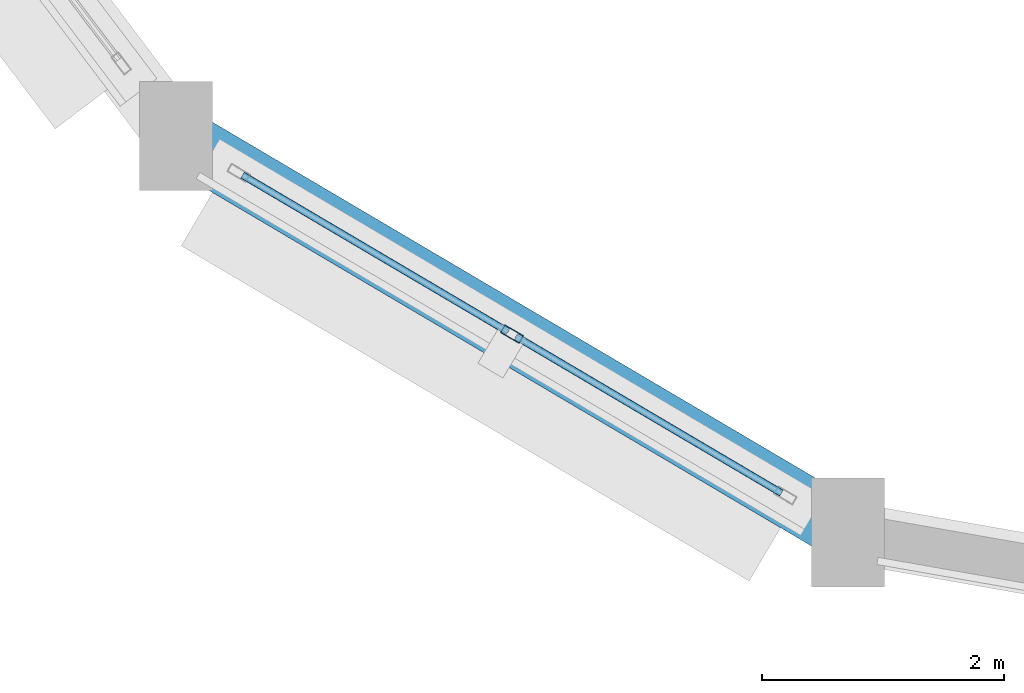
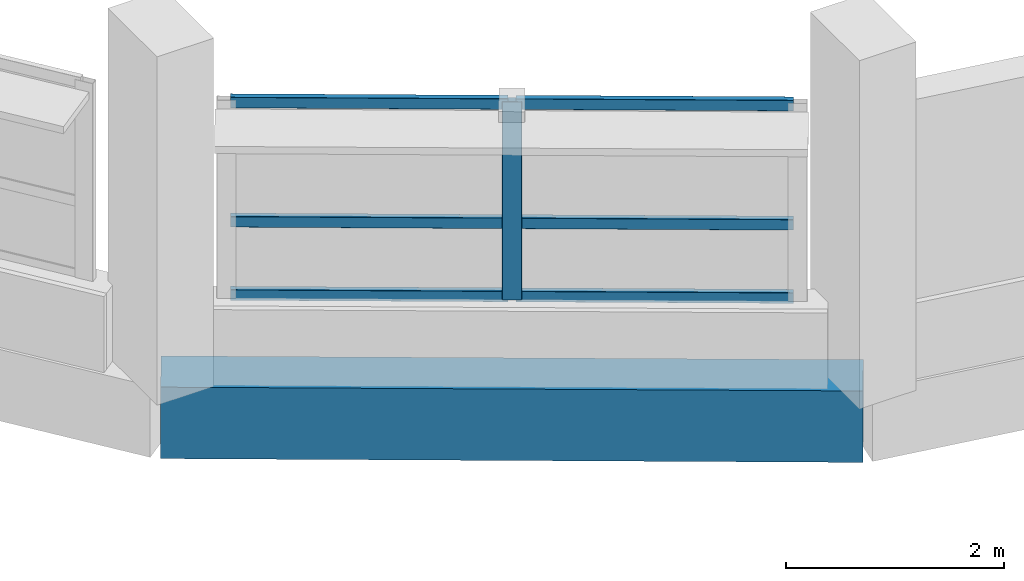
# One storey, part 82 of 121: 7 members, 1 beam, 1 element without a shape of its own.
"""IFC4 building model written with IfcOpenShell, lengths in metres."""

from ifc_helpers import new_model, si_unit, direction, frame, origin, origin_2d, place, context, subcontext, project, spatial, rectangle, hollow_rectangle, extrude, material, layer, layer_set, material_profile, profile_set, type_object, element, aggregate, save


model = new_model("IFC4")

# Units and contexts
model_context = context("Model", 3, precision=1e-05, world=origin(), true_north=direction((0.0, 1.0)))
body_context = subcontext(model_context, "Body", "Model", "MODEL_VIEW")
ifc_project = project(units=[si_unit("LENGTHUNIT", "METRE"), si_unit("AREAUNIT", "SQUARE_METRE"), si_unit("VOLUMEUNIT", "CUBIC_METRE"), si_unit("PLANEANGLEUNIT", "RADIAN"), si_unit("MASSUNIT", "GRAM", prefix="KILO")], contexts=[model_context])

# Site, building, storey
site_placement = place(None, origin())
site = spatial("IfcSite", under=ifc_project, at=site_placement, CompositionType="ELEMENT")
building_placement = place(site_placement, origin())
building = spatial("IfcBuilding", under=site, at=building_placement, Name="Vespera Passage Community Centre", CompositionType="ELEMENT")
storey_placement = place(building_placement, frame((0.0, 0.0, 8.699951171875)))
storey = spatial("IfcBuildingStorey", under=building, at=storey_placement, Name="L02", CompositionType="ELEMENT", Elevation=8.699951171875)

# Beam
ifc_material_1 = material(Name="Concrete f'c 35 MPa", Category="concrete")
ifc_material_profile_1 = material_profile(ifc_material_1, rectangle(XDim=0.5, YDim=0.800048828125, at=origin_2d()), Name="RC500X800")
ifc_profile_set_1 = profile_set([ifc_material_profile_1], Name="Concrete f'c 35 MPa")
beam_type = type_object("IfcBeamType", Name="BM-SP-500X800E", PredefinedType="SPANDREL", material=ifc_profile_set_1)
beam_placement = place(storey_placement, frame((130.908447265625, 78.82275390625, -0.39990234375), z_axis=(0.861245535965, -0.508189065978, 0.0), x_axis=(0.508189065978, 0.861245535965, 0.0)))
element("IfcBeam", 1, at=beam_placement, inside=storey, type_object=beam_type, Name="V2 L02 Perimeter Spandrel 11", PredefinedType="SPANDREL", context=body_context, shape_type="SweptSolid", body=[
    extrude(rectangle(XDim=0.5, YDim=0.800048828125, at=origin_2d()), origin(), (0.0, 0.0, 1.0), 6.44140625),
])

# Curtain wall, members
ifc_material_2 = material(Name="Anodized aluminium 6063-T6", Category="aluminium")
ifc_layer = layer(ifc_material_2, 0.159912109375)
ifc_layer_set = layer_set([ifc_layer], Name="Anodized aluminium 6063-T6")
curtain_wall_type = type_object("IfcCurtainWallType", Name="CW-99E", PredefinedType="NOTDEFINED", material=ifc_layer_set)
curtain_wall_placement = place(storey_placement, origin())
curtain_wall = element("IfcCurtainWall", 2, at=curtain_wall_placement, inside=storey, type_object=curtain_wall_type, Name="Sports Drum Ribbon Curtain Wall L02.11", PredefinedType="NOTDEFINED")
ifc_material_3 = material(Name="Anodized aluminium 6063-T6", Category="aluminium")
ifc_material_profile_2 = material_profile(ifc_material_3, hollow_rectangle(XDim=0.074951171875, YDim=0.179931640625, WallThickness=0.0048828125, InnerFilletRadius=0.00244140625, OuterFilletRadius=0.0048828125, at=origin_2d()), Name="ALU180X75X5")
ifc_profile_set_2 = profile_set([ifc_material_profile_2], Name="Anodized aluminium 6063-T6")
member_type_1 = type_object("IfcMemberType", Name="MB-CWM-180E", PredefinedType="MULLION", material=ifc_profile_set_2)
member_1_placement = place(storey_placement, frame((133.682373046875, 77.18603515625, 0.85009765625), z_axis=(0.0, 0.0, 1.0), x_axis=(-0.50817007737, -0.861256740157, 0.0)))
member_1 = element("IfcMember", 3, at=member_1_placement, type_object=member_type_1, Name="CW-99E mullion 2", PredefinedType="MULLION", context=body_context, shape_type="SweptSolid", body=[
    extrude(hollow_rectangle(XDim=0.074951171875, YDim=0.179931640625, WallThickness=0.0048828125, InnerFilletRadius=0.00244140625, OuterFilletRadius=0.0048828125, at=origin_2d()), origin(), (0.0, 0.0, 1.0), 2.21484375),
])
ifc_material_4 = material(Name="Anodized aluminium 6063-T6", Category="aluminium")
ifc_material_profile_3 = material_profile(ifc_material_4, hollow_rectangle(XDim=0.06005859375, YDim=0.1201171875, WallThickness=0.00390625, InnerFilletRadius=0.001953125, OuterFilletRadius=0.00390625, at=origin_2d()), Name="ALU120X60X4")
ifc_profile_set_3 = profile_set([ifc_material_profile_3], Name="Anodized aluminium 6063-T6")
member_type_2 = type_object("IfcMemberType", Name="MB-CWT-120E", PredefinedType="USERDEFINED", material=ifc_profile_set_3)
member_2_placement = place(storey_placement, frame((135.90625, 75.873779296875, 0.880126953125), z_axis=(-0.861245323455, 0.508189426127, 0.0), x_axis=(-0.508189426127, -0.861245323455, 0.0)))
member_2 = element("IfcMember", 4, at=member_2_placement, type_object=member_type_2, Name="CW-99E transom 1.1", ObjectType="TRANSOM", PredefinedType="USERDEFINED", context=body_context, shape_type="SweptSolid", body=[
    extrude(hollow_rectangle(XDim=0.06005859375, YDim=0.1201171875, WallThickness=0.00390625, InnerFilletRadius=0.001953125, OuterFilletRadius=0.00390625, at=origin_2d()), origin(), (0.0, 0.0, 1.0), 2.544677734375),
])
member_3_placement = place(storey_placement, frame((135.90625, 75.873779296875, 1.699951171875), z_axis=(-0.861245323455, 0.508189426127, 0.0), x_axis=(-0.508189426127, -0.861245323455, 0.0)))
member_3 = element("IfcMember", 5, at=member_3_placement, type_object=member_type_2, Name="CW-99E transom 1.2", ObjectType="TRANSOM", PredefinedType="USERDEFINED", context=body_context, shape_type="SweptSolid", body=[
    extrude(hollow_rectangle(XDim=0.06005859375, YDim=0.1201171875, WallThickness=0.00390625, InnerFilletRadius=0.001953125, OuterFilletRadius=0.00390625, at=origin_2d()), origin(), (0.0, 0.0, 1.0), 2.544677734375),
])
member_4_placement = place(storey_placement, frame((135.90625, 75.873779296875, 3.03515625), z_axis=(-0.861245323455, 0.508189426127, 0.0), x_axis=(-0.508189426127, -0.861245323455, 0.0)))
member_4 = element("IfcMember", 6, at=member_4_placement, type_object=member_type_2, Name="CW-99E transom 1.3", ObjectType="TRANSOM", PredefinedType="USERDEFINED", context=body_context, shape_type="SweptSolid", body=[
    extrude(hollow_rectangle(XDim=0.06005859375, YDim=0.1201171875, WallThickness=0.00390625, InnerFilletRadius=0.001953125, OuterFilletRadius=0.00390625, at=origin_2d()), origin(), (0.0, 0.0, 1.0), 2.544677734375),
])
member_5_placement = place(storey_placement, frame((133.64990234375, 77.205078125, 0.880126953125), z_axis=(-0.861245323455, 0.508189426127, 0.0), x_axis=(-0.508189426127, -0.861245323455, 0.0)))
member_5 = element("IfcMember", 7, at=member_5_placement, type_object=member_type_2, Name="CW-99E transom 2.1", ObjectType="TRANSOM", PredefinedType="USERDEFINED", context=body_context, shape_type="SweptSolid", body=[
    extrude(hollow_rectangle(XDim=0.06005859375, YDim=0.1201171875, WallThickness=0.00390625, InnerFilletRadius=0.001953125, OuterFilletRadius=0.00390625, at=origin_2d()), origin(), (0.0, 0.0, 1.0), 2.544677734375),
])
member_6_placement = place(storey_placement, frame((133.64990234375, 77.205078125, 1.699951171875), z_axis=(-0.861245323455, 0.508189426127, 0.0), x_axis=(-0.508189426127, -0.861245323455, 0.0)))
member_6 = element("IfcMember", 8, at=member_6_placement, type_object=member_type_2, Name="CW-99E transom 2.2", ObjectType="TRANSOM", PredefinedType="USERDEFINED", context=body_context, shape_type="SweptSolid", body=[
    extrude(hollow_rectangle(XDim=0.06005859375, YDim=0.1201171875, WallThickness=0.00390625, InnerFilletRadius=0.001953125, OuterFilletRadius=0.00390625, at=origin_2d()), origin(), (0.0, 0.0, 1.0), 2.544677734375),
])
member_7_placement = place(storey_placement, frame((133.64990234375, 77.205078125, 3.03515625), z_axis=(-0.861245323455, 0.508189426127, 0.0), x_axis=(-0.508189426127, -0.861245323455, 0.0)))
member_7 = element("IfcMember", 9, at=member_7_placement, type_object=member_type_2, Name="CW-99E transom 2.3", ObjectType="TRANSOM", PredefinedType="USERDEFINED", context=body_context, shape_type="SweptSolid", body=[
    extrude(hollow_rectangle(XDim=0.06005859375, YDim=0.1201171875, WallThickness=0.00390625, InnerFilletRadius=0.001953125, OuterFilletRadius=0.00390625, at=origin_2d()), origin(), (0.0, 0.0, 1.0), 2.544677734375),
])
aggregate(curtain_wall, [member_1, member_2, member_3, member_4, member_5, member_6, member_7])

save(model, "model.ifc")
